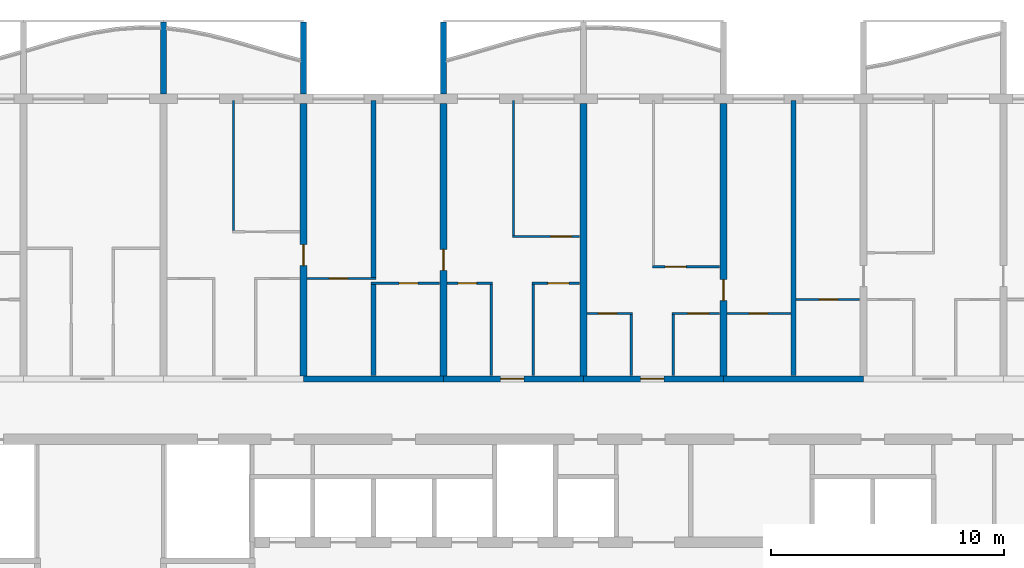
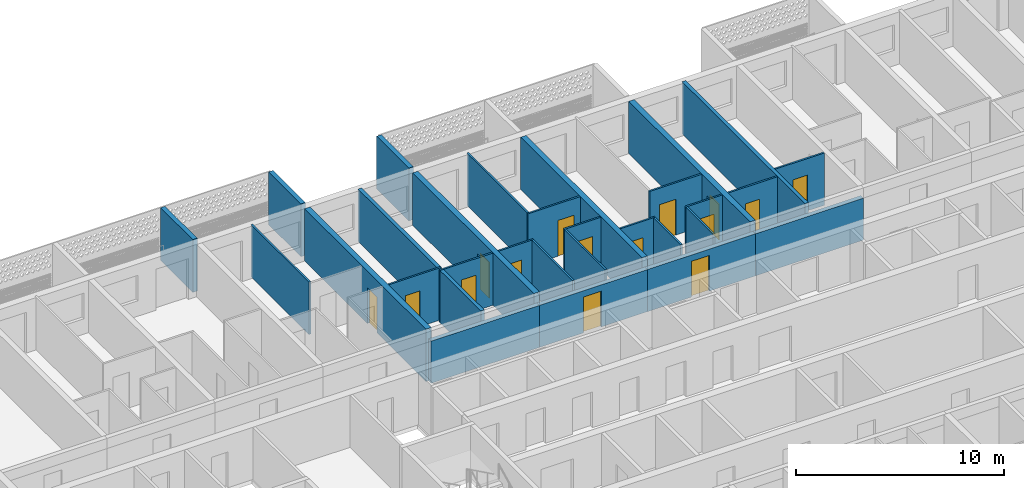
# One storey, part 9 of 32: 30 walls, 15 doors, 15 openings.
"""IFC4 building model written with IfcOpenShell, lengths in metres."""

from ifc_helpers import new_model, si_unit, direction, frame, frame_2d, origin, place, context, subcontext, project, spatial, polyline, rectangle, outline, extrude, source, transform, mapped, material, layer, layer_set, type_object, element, fill, save


model = new_model("IFC4")

# Units and contexts
model_context = context("Model", 3, precision=1e-05, world=origin(), true_north=direction((0.0, 1.0)))
body_context = subcontext(model_context, "Body", "Model", "MODEL_VIEW")
ifc_project = project(units=[si_unit("LENGTHUNIT", "METRE"), si_unit("AREAUNIT", "SQUARE_METRE"), si_unit("VOLUMEUNIT", "CUBIC_METRE"), si_unit("PLANEANGLEUNIT", "RADIAN"), si_unit("MASSUNIT", "GRAM", prefix="KILO")], contexts=[model_context])

# Site, building, storey
site_placement = place(None, origin())
site = spatial("IfcSite", under=ifc_project, at=site_placement, CompositionType="ELEMENT")
building_placement = place(site_placement, origin())
building = spatial("IfcBuilding", under=site, at=building_placement, Name="Poui Terraces", CompositionType="ELEMENT")
storey_placement = place(building_placement, frame((0.0, 0.0, 152.10009765625)))
storey = spatial("IfcBuildingStorey", under=building, at=storey_placement, Name="L42", CompositionType="ELEMENT", Elevation=152.10009765625)

# Wall
ifc_material_1 = material(Name="Concrete 65 MPa", Category="concrete")
ifc_layer_1 = layer(ifc_material_1, 0.25)
ifc_layer_set_1 = layer_set([ifc_layer_1], Name="Concrete 65 MPa")
wall_type_1 = type_object("IfcWallType", Name="CORRIDOR WALL 250 65MPa", PredefinedType="SHEAR", material=ifc_layer_set_1)
wall_1_placement = place(storey_placement, frame((36.0, 30.39990234375, 0.0), z_axis=(0.0, 0.0, 1.0), x_axis=(1.0, 0.0, 0.0)))
element("IfcWall", 1, at=wall_1_placement, inside=storey, type_object=wall_type_1, Name="CORRIDOR WALL LINE E BAY 5", PredefinedType="SHEAR", context=body_context, shape_type="SweptSolid", body=[
    extrude(rectangle(XDim=6.0, YDim=0.25, at=frame_2d((3.0, 0.0))), origin(), (0.0, 0.0, 1.0), 2.469970703125),
])

# Wall, opening, door
wall_2_placement = place(storey_placement, frame((42.0, 30.39990234375, 0.0), z_axis=(0.0, 0.0, 1.0), x_axis=(1.0, 0.0, 0.0)))
wall_2 = element("IfcWall", 2, at=wall_2_placement, inside=storey, type_object=wall_type_1, Name="CORRIDOR WALL LINE E BAY 6", PredefinedType="SHEAR", context=body_context, shape_type="SweptSolid", body=[
    extrude(rectangle(XDim=6.0, YDim=0.25, at=frame_2d((3.0, 0.0))), origin(), (0.0, 0.0, 1.0), 2.469970703125),
])
opening_1_placement = place(wall_2_placement, frame((2.449951171875, 0.0, 0.0)))
opening_1 = element("IfcOpeningElement", 3, at=opening_1_placement, cuts=wall_2, Name="Opening FD30S", PredefinedType="OPENING", context=body_context, shape_type="SweptSolid", body=[
    extrude(rectangle(XDim=1.0, YDim=2.10009765625, at=frame_2d((0.5, 1.050048828125))), frame((0.0, 0.135009765625, 0.0), z_axis=(0.0, -1.0, 0.0), x_axis=(1.0, 0.0, 0.0)), (0.0, 0.0, 1.0), 0.27001953125),
])
ifc_material_2 = material(Name="Steel fire door", Category="steel")
door_type_1 = type_object("IfcDoorType", Name="FLAT ENTRANCE DOOR 1000 X 2100", OperationType="NOTDEFINED", PredefinedType="DOOR", material=ifc_material_2)
door_1_placement = place(opening_1_placement, origin())
door_1 = element("IfcDoor", 4, at=door_1_placement, inside=storey, type_object=door_type_1, Name="FLAT ENTRANCE DOOR 046", OperationType="SINGLE_SWING_LEFT", OverallHeight=2.10009765625, OverallWidth=1.0, PredefinedType="DOOR", context=body_context, shape_type="SweptSolid", body=[
    extrude(rectangle(XDim=1.0, YDim=2.10009765625, at=frame_2d((0.5, 1.050048828125))), frame((0.0, 0.02490234375, 0.0), z_axis=(0.0, -1.0, 0.0), x_axis=(1.0, 0.0, 0.0)), (0.0, 0.0, 1.0), 0.050048828125),
])
fill(opening_1, door_1)

wall_3_placement = place(storey_placement, frame((48.0, 30.39990234375, 0.0), z_axis=(0.0, 0.0, 1.0), x_axis=(1.0, 0.0, 0.0)))
wall_3 = element("IfcWall", 5, at=wall_3_placement, inside=storey, type_object=wall_type_1, Name="CORRIDOR WALL LINE E BAY 7", PredefinedType="SHEAR", context=body_context, shape_type="SweptSolid", body=[
    extrude(rectangle(XDim=6.0, YDim=0.25, at=frame_2d((3.0, 0.0))), origin(), (0.0, 0.0, 1.0), 2.469970703125),
])
opening_2_placement = place(wall_3_placement, frame((2.449951171875, 0.0, 0.0)))
opening_2 = element("IfcOpeningElement", 6, at=opening_2_placement, cuts=wall_3, Name="Opening FD30S", PredefinedType="OPENING", context=body_context, shape_type="SweptSolid", body=[
    extrude(rectangle(XDim=1.0, YDim=2.10009765625, at=frame_2d((0.5, 1.050048828125))), frame((0.0, 0.135009765625, 0.0), z_axis=(0.0, -1.0, 0.0), x_axis=(1.0, 0.0, 0.0)), (0.0, 0.0, 1.0), 0.27001953125),
])
door_2_placement = place(opening_2_placement, origin())
door_2 = element("IfcDoor", 7, at=door_2_placement, inside=storey, type_object=door_type_1, Name="FLAT ENTRANCE DOOR 051", OperationType="SINGLE_SWING_LEFT", OverallHeight=2.10009765625, OverallWidth=1.0, PredefinedType="DOOR", context=body_context, shape_type="SweptSolid", body=[
    extrude(rectangle(XDim=1.0, YDim=2.10009765625, at=frame_2d((0.5, 1.050048828125))), frame((0.0, 0.02490234375, 0.0), z_axis=(0.0, -1.0, 0.0), x_axis=(1.0, 0.0, 0.0)), (0.0, 0.0, 1.0), 0.050048828125),
])
fill(opening_2, door_2)

# Wall
wall_4_placement = place(storey_placement, frame((54.0, 30.39990234375, 0.0), z_axis=(0.0, 0.0, 1.0), x_axis=(1.0, 0.0, 0.0)))
element("IfcWall", 8, at=wall_4_placement, inside=storey, type_object=wall_type_1, Name="CORRIDOR WALL LINE E BAY 8", PredefinedType="SHEAR", context=body_context, shape_type="SweptSolid", body=[
    extrude(rectangle(XDim=6.0, YDim=0.25, at=frame_2d((3.0, 0.0))), origin(), (0.0, 0.0, 1.0), 2.469970703125),
])

# Wall, opening, door
ifc_layer_2 = layer(ifc_material_1, 0.300048828125)
ifc_layer_set_2 = layer_set([ifc_layer_2], Name="Concrete 65 MPa")
wall_type_2 = type_object("IfcWallType", Name="CROSS WALL 300 65MPa", PredefinedType="SHEAR", material=ifc_layer_set_2)
wall_5_placement = place(storey_placement, frame((36.0, 30.52490234375, 0.0), z_axis=(0.0, 0.0, 1.0), x_axis=(0.0, 1.0, 0.0)))
wall_5 = element("IfcWall", 9, at=wall_5_placement, inside=storey, type_object=wall_type_2, Name="CROSS WALL LINE 7 NORTH", PredefinedType="SHEAR", context=body_context, shape_type="SweptSolid", body=[
    extrude(rectangle(XDim=11.675048828125, YDim=0.300048828125, at=frame_2d((5.83740234375, 0.0))), origin(), (0.0, 0.0, 1.0), 3.06982421875),
])
opening_3_placement = place(wall_5_placement, frame((4.72509765625, 0.0, 0.0)))
opening_3 = element("IfcOpeningElement", 10, at=opening_3_placement, cuts=wall_5, Name="Opening D90", PredefinedType="OPENING", context=body_context, shape_type="SweptSolid", body=[
    extrude(rectangle(XDim=0.89990234375, YDim=2.10009765625, at=frame_2d((0.449951171875, 1.050048828125))), frame((0.0, 0.16015625, 0.0), z_axis=(0.0, -1.0, 0.0), x_axis=(1.0, 0.0, 0.0)), (0.0, 0.0, 1.0), 0.320068359375),
])
ifc_material_3 = material(Name="Solid core timber door", Category="wood")
door_type_2 = type_object("IfcDoorType", Name="INTERNAL DOOR 900 X 2100", OperationType="NOTDEFINED", PredefinedType="DOOR", material=ifc_material_3)
door_3_placement = place(opening_3_placement, frame((0.89990234375, 0.0, 0.0), z_axis=(0.0, 0.0, 1.0), x_axis=(-1.0, 0.0, 0.0)))
door_3 = element("IfcDoor", 11, at=door_3_placement, inside=storey, type_object=door_type_2, Name="INTERNAL DOOR 042", OperationType="SINGLE_SWING_RIGHT", OverallHeight=2.10009765625, OverallWidth=0.89990234375, PredefinedType="DOOR", context=body_context, shape_type="SweptSolid", body=[
    extrude(rectangle(XDim=0.89990234375, YDim=2.10009765625, at=frame_2d((0.449951171875, 1.050048828125))), frame((0.0, 0.02490234375, 0.0), z_axis=(0.0, -1.0, 0.0), x_axis=(1.0, 0.0, 0.0)), (0.0, 0.0, 1.0), 0.050048828125),
])
fill(opening_3, door_3)

wall_6_placement = place(storey_placement, frame((42.0, 30.52490234375, 0.0), z_axis=(0.0, 0.0, 1.0), x_axis=(0.0, 1.0, 0.0)))
wall_6 = element("IfcWall", 12, at=wall_6_placement, inside=storey, type_object=wall_type_2, Name="CROSS WALL LINE 8 NORTH", PredefinedType="SHEAR", context=body_context, shape_type="SweptSolid", body=[
    extrude(rectangle(XDim=11.675048828125, YDim=0.300048828125, at=frame_2d((5.83740234375, 0.0))), origin(), (0.0, 0.0, 1.0), 3.06982421875),
])
opening_4_placement = place(wall_6_placement, frame((4.52490234375, 0.0, 0.0)))
opening_4 = element("IfcOpeningElement", 13, at=opening_4_placement, cuts=wall_6, Name="Opening D90", PredefinedType="OPENING", context=body_context, shape_type="SweptSolid", body=[
    extrude(rectangle(XDim=0.89990234375, YDim=2.10009765625, at=frame_2d((0.449951171875, 1.050048828125))), frame((0.0, 0.16015625, 0.0), z_axis=(0.0, -1.0, 0.0), x_axis=(1.0, 0.0, 0.0)), (0.0, 0.0, 1.0), 0.320068359375),
])
door_4_placement = place(opening_4_placement, origin())
door_4 = element("IfcDoor", 14, at=door_4_placement, inside=storey, type_object=door_type_2, Name="INTERNAL DOOR 044", OperationType="SINGLE_SWING_LEFT", OverallHeight=2.10009765625, OverallWidth=0.89990234375, PredefinedType="DOOR", context=body_context, shape_type="SweptSolid", body=[
    extrude(rectangle(XDim=0.89990234375, YDim=2.10009765625, at=frame_2d((0.449951171875, 1.050048828125))), frame((0.0, 0.02490234375, 0.0), z_axis=(0.0, -1.0, 0.0), x_axis=(1.0, 0.0, 0.0)), (0.0, 0.0, 1.0), 0.050048828125),
])
fill(opening_4, door_4)

# Wall
wall_7_placement = place(storey_placement, frame((48.0, 30.52490234375, 0.0), z_axis=(0.0, 0.0, 1.0), x_axis=(0.0, 1.0, 0.0)))
element("IfcWall", 15, at=wall_7_placement, inside=storey, type_object=wall_type_2, Name="CROSS WALL LINE 9 NORTH", PredefinedType="SHEAR", context=body_context, shape_type="SweptSolid", body=[
    extrude(rectangle(XDim=11.675048828125, YDim=0.300048828125, at=frame_2d((5.83740234375, 0.0))), origin(), (0.0, 0.0, 1.0), 3.06982421875),
])

# Wall, opening, door
wall_8_placement = place(storey_placement, frame((54.0, 30.52490234375, 0.0), z_axis=(0.0, 0.0, 1.0), x_axis=(0.0, 1.0, 0.0)))
wall_8 = element("IfcWall", 16, at=wall_8_placement, inside=storey, type_object=wall_type_2, Name="CROSS WALL LINE 10 NORTH", PredefinedType="SHEAR", context=body_context, shape_type="SweptSolid", body=[
    extrude(rectangle(XDim=11.675048828125, YDim=0.300048828125, at=frame_2d((5.83740234375, 0.0))), origin(), (0.0, 0.0, 1.0), 3.06982421875),
])
opening_5_placement = place(wall_8_placement, frame((3.22509765625, 0.0, 0.0)))
opening_5 = element("IfcOpeningElement", 17, at=opening_5_placement, cuts=wall_8, Name="Opening D90", PredefinedType="OPENING", context=body_context, shape_type="SweptSolid", body=[
    extrude(rectangle(XDim=0.89990234375, YDim=2.10009765625, at=frame_2d((0.449951171875, 1.050048828125))), frame((0.0, 0.16015625, 0.0), z_axis=(0.0, -1.0, 0.0), x_axis=(1.0, 0.0, 0.0)), (0.0, 0.0, 1.0), 0.320068359375),
])
door_5_placement = place(opening_5_placement, frame((0.89990234375, 0.0, 0.0), z_axis=(0.0, 0.0, 1.0), x_axis=(-1.0, 0.0, 0.0)))
door_5 = element("IfcDoor", 18, at=door_5_placement, inside=storey, type_object=door_type_2, Name="INTERNAL DOOR 054", OperationType="SINGLE_SWING_RIGHT", OverallHeight=2.10009765625, OverallWidth=0.89990234375, PredefinedType="DOOR", context=body_context, shape_type="SweptSolid", body=[
    extrude(rectangle(XDim=0.89990234375, YDim=2.10009765625, at=frame_2d((0.449951171875, 1.050048828125))), frame((0.0, 0.02490234375, 0.0), z_axis=(0.0, -1.0, 0.0), x_axis=(1.0, 0.0, 0.0)), (0.0, 0.0, 1.0), 0.050048828125),
])
fill(opening_5, door_5)

ifc_material_4 = material(Name="Plasterboard partition")
ifc_layer_3 = layer(ifc_material_4, 0.10009765625)
ifc_layer_set_3 = layer_set([ifc_layer_3], Name="Plasterboard partition")
wall_type_3 = type_object("IfcWallType", Name="FLAT PARTITION 100", PredefinedType="PARTITIONING", material=ifc_layer_set_3)
wall_9_placement = place(storey_placement, frame((48.159912109375, 33.199951171875, 0.0), z_axis=(0.0, 0.0, 1.0), x_axis=(1.0, 0.0, 0.0)))
wall_9 = element("IfcWall", 19, at=wall_9_placement, inside=storey, type_object=wall_type_3, Name="FLAT PARTITION 100", PredefinedType="PARTITIONING", context=body_context, shape_type="SweptSolid", body=[
    extrude(rectangle(XDim=1.940185546875, YDim=0.10009765625, at=frame_2d((0.97021484375, 0.0))), origin(), (0.0, 0.0, 1.0), 3.06982421875),
])
opening_6_placement = place(wall_9_placement, frame((0.465087890625, 0.0, 0.0)))
opening_6 = element("IfcOpeningElement", 20, at=opening_6_placement, cuts=wall_9, Name="Opening D80", PredefinedType="OPENING", context=body_context, shape_type="SweptSolid", body=[
    extrude(rectangle(XDim=0.800048828125, YDim=2.10009765625, at=frame_2d((0.39990234375, 1.050048828125))), frame((0.0, 0.06005859375, 0.0), z_axis=(0.0, -1.0, 0.0), x_axis=(1.0, 0.0, 0.0)), (0.0, 0.0, 1.0), 0.1201171875),
])
door_type_3 = type_object("IfcDoorType", Name="BATHROOM, LAUNDRY AND STORE DOOR 800 X 2100", OperationType="NOTDEFINED", PredefinedType="DOOR", material=ifc_material_3)
door_6_placement = place(opening_6_placement, frame((0.800048828125, 0.0, 0.0), z_axis=(0.0, 0.0, 1.0), x_axis=(-1.0, 0.0, 0.0)))
door_6 = element("IfcDoor", 21, at=door_6_placement, inside=storey, type_object=door_type_3, Name="BATHROOM, LAUNDRY AND STORE DOOR 050", OperationType="SINGLE_SWING_LEFT", OverallHeight=2.10009765625, OverallWidth=0.800048828125, PredefinedType="DOOR", context=body_context, shape_type="SweptSolid", body=[
    extrude(rectangle(XDim=0.800048828125, YDim=2.10009765625, at=frame_2d((0.39990234375, 1.050048828125))), frame((0.0, 0.02490234375, 0.0), z_axis=(0.0, -1.0, 0.0), x_axis=(1.0, 0.0, 0.0)), (0.0, 0.0, 1.0), 0.050048828125),
])
fill(opening_6, door_6)

wall_10_placement = place(storey_placement, frame((51.800048828125, 33.199951171875, 0.0), z_axis=(0.0, 0.0, 1.0), x_axis=(1.0, 0.0, 0.0)))
wall_10 = element("IfcWall", 22, at=wall_10_placement, inside=storey, type_object=wall_type_3, Name="FLAT PARTITION 100", PredefinedType="PARTITIONING", context=body_context, shape_type="SweptSolid", body=[
    extrude(rectangle(XDim=2.0400390625, YDim=0.10009765625, at=frame_2d((1.02001953125, 0.0))), origin(), (0.0, 0.0, 1.0), 3.06982421875),
])
opening_7_placement = place(wall_10_placement, frame((0.675048828125, 0.0, 0.0)))
opening_7 = element("IfcOpeningElement", 23, at=opening_7_placement, cuts=wall_10, Name="Opening D90", PredefinedType="OPENING", context=body_context, shape_type="SweptSolid", body=[
    extrude(rectangle(XDim=0.89990234375, YDim=2.10009765625, at=frame_2d((0.449951171875, 1.050048828125))), frame((0.0, 0.06005859375, 0.0), z_axis=(0.0, -1.0, 0.0), x_axis=(1.0, 0.0, 0.0)), (0.0, 0.0, 1.0), 0.1201171875),
])
door_7_placement = place(opening_7_placement, frame((0.89990234375, 0.0, 0.0), z_axis=(0.0, 0.0, 1.0), x_axis=(-1.0, 0.0, 0.0)))
door_7 = element("IfcDoor", 24, at=door_7_placement, inside=storey, type_object=door_type_2, Name="INTERNAL DOOR 053", OperationType="SINGLE_SWING_RIGHT", OverallHeight=2.10009765625, OverallWidth=0.89990234375, PredefinedType="DOOR", context=body_context, shape_type="SweptSolid", body=[
    extrude(rectangle(XDim=0.89990234375, YDim=2.10009765625, at=frame_2d((0.449951171875, 1.050048828125))), frame((0.0, 0.02490234375, 0.0), z_axis=(0.0, -1.0, 0.0), x_axis=(1.0, 0.0, 0.0)), (0.0, 0.0, 1.0), 0.050048828125),
])
fill(opening_7, door_7)

wall_11_placement = place(storey_placement, frame((54.159912109375, 33.199951171875, 0.0), z_axis=(0.0, 0.0, 1.0), x_axis=(1.0, 0.0, 0.0)))
wall_11 = element("IfcWall", 25, at=wall_11_placement, inside=storey, type_object=wall_type_3, Name="FLAT PARTITION 100", PredefinedType="PARTITIONING", context=body_context, shape_type="SweptSolid", body=[
    extrude(rectangle(XDim=2.739990234375, YDim=0.10009765625, at=frame_2d((1.3701171875, 0.0))), origin(), (0.0, 0.0, 1.0), 3.06982421875),
])
opening_8_placement = place(wall_11_placement, frame((0.93994140625, 0.0, 0.0)))
opening_8 = element("IfcOpeningElement", 26, at=opening_8_placement, cuts=wall_11, Name="Opening D80", PredefinedType="OPENING", context=body_context, shape_type="SweptSolid", body=[
    extrude(rectangle(XDim=0.800048828125, YDim=2.10009765625, at=frame_2d((0.39990234375, 1.050048828125))), frame((0.0, 0.06005859375, 0.0), z_axis=(0.0, -1.0, 0.0), x_axis=(1.0, 0.0, 0.0)), (0.0, 0.0, 1.0), 0.1201171875),
])
door_8_placement = place(opening_8_placement, frame((0.800048828125, 0.0, 0.0), z_axis=(0.0, 0.0, 1.0), x_axis=(-1.0, 0.0, 0.0)))
door_8 = element("IfcDoor", 27, at=door_8_placement, inside=storey, type_object=door_type_3, Name="BATHROOM, LAUNDRY AND STORE DOOR 049", OperationType="SINGLE_SWING_LEFT", OverallHeight=2.10009765625, OverallWidth=0.800048828125, PredefinedType="DOOR", context=body_context, shape_type="SweptSolid", body=[
    extrude(rectangle(XDim=0.800048828125, YDim=2.10009765625, at=frame_2d((0.39990234375, 1.050048828125))), frame((0.0, 0.02490234375, 0.0), z_axis=(0.0, -1.0, 0.0), x_axis=(1.0, 0.0, 0.0)), (0.0, 0.0, 1.0), 0.050048828125),
])
fill(opening_8, door_8)

wall_12_placement = place(storey_placement, frame((57.10009765625, 33.800048828125, 0.0), z_axis=(0.0, 0.0, 1.0), x_axis=(1.0, 0.0, 0.0)))
wall_12 = element("IfcWall", 28, at=wall_12_placement, inside=storey, type_object=wall_type_3, Name="FLAT PARTITION 100", PredefinedType="PARTITIONING", context=body_context, shape_type="SweptSolid", body=[
    extrude(rectangle(XDim=2.739990234375, YDim=0.10009765625, at=frame_2d((1.3701171875, 0.0))), origin(), (0.0, 0.0, 1.0), 3.06982421875),
])
opening_9_placement = place(wall_12_placement, frame((1.0, 0.0, 0.0)))
opening_9 = element("IfcOpeningElement", 29, at=opening_9_placement, cuts=wall_12, Name="Opening D80", PredefinedType="OPENING", context=body_context, shape_type="SweptSolid", body=[
    extrude(rectangle(XDim=0.800048828125, YDim=2.10009765625, at=frame_2d((0.39990234375, 1.050048828125))), frame((0.0, 0.06005859375, 0.0), z_axis=(0.0, -1.0, 0.0), x_axis=(1.0, 0.0, 0.0)), (0.0, 0.0, 1.0), 0.1201171875),
])
door_9_placement = place(opening_9_placement, frame((0.800048828125, 0.0, 0.0), z_axis=(0.0, 0.0, 1.0), x_axis=(-1.0, 0.0, 0.0)))
door_9 = element("IfcDoor", 30, at=door_9_placement, inside=storey, type_object=door_type_3, Name="BATHROOM, LAUNDRY AND STORE DOOR 055", OperationType="SINGLE_SWING_RIGHT", OverallHeight=2.10009765625, OverallWidth=0.800048828125, PredefinedType="DOOR", context=body_context, shape_type="SweptSolid", body=[
    extrude(rectangle(XDim=0.800048828125, YDim=2.10009765625, at=frame_2d((0.39990234375, 1.050048828125))), frame((0.0, 0.02490234375, 0.0), z_axis=(0.0, -1.0, 0.0), x_axis=(1.0, 0.0, 0.0)), (0.0, 0.0, 1.0), 0.050048828125),
])
fill(opening_9, door_9)

wall_13_placement = place(storey_placement, frame((38.89990234375, 34.5, 0.0), z_axis=(0.0, 0.0, 1.0), x_axis=(1.0, 0.0, 0.0)))
wall_13 = element("IfcWall", 31, at=wall_13_placement, inside=storey, type_object=wall_type_3, Name="FLAT PARTITION 100", PredefinedType="PARTITIONING", context=body_context, shape_type="SweptSolid", body=[
    extrude(rectangle(XDim=2.940185546875, YDim=0.10009765625, at=frame_2d((1.47021484375, 0.0))), origin(), (0.0, 0.0, 1.0), 3.06982421875),
])
opening_10_placement = place(wall_13_placement, frame((1.199951171875, 0.0, 0.0)))
opening_10 = element("IfcOpeningElement", 32, at=opening_10_placement, cuts=wall_13, Name="Opening D80", PredefinedType="OPENING", context=body_context, shape_type="SweptSolid", body=[
    extrude(rectangle(XDim=0.800048828125, YDim=2.10009765625, at=frame_2d((0.39990234375, 1.050048828125))), frame((0.0, 0.06005859375, 0.0), z_axis=(0.0, -1.0, 0.0), x_axis=(1.0, 0.0, 0.0)), (0.0, 0.0, 1.0), 0.1201171875),
])
door_10_placement = place(opening_10_placement, frame((0.800048828125, 0.0, 0.0), z_axis=(0.0, 0.0, 1.0), x_axis=(-1.0, 0.0, 0.0)))
door_10 = element("IfcDoor", 33, at=door_10_placement, inside=storey, type_object=door_type_3, Name="BATHROOM, LAUNDRY AND STORE DOOR 043", OperationType="SINGLE_SWING_RIGHT", OverallHeight=2.10009765625, OverallWidth=0.800048828125, PredefinedType="DOOR", context=body_context, shape_type="SweptSolid", body=[
    extrude(rectangle(XDim=0.800048828125, YDim=2.10009765625, at=frame_2d((0.39990234375, 1.050048828125))), frame((0.0, 0.02490234375, 0.0), z_axis=(0.0, -1.0, 0.0), x_axis=(1.0, 0.0, 0.0)), (0.0, 0.0, 1.0), 0.050048828125),
])
fill(opening_10, door_10)

wall_14_placement = place(storey_placement, frame((42.159912109375, 34.5, 0.0), z_axis=(0.0, 0.0, 1.0), x_axis=(1.0, 0.0, 0.0)))
wall_14 = element("IfcWall", 34, at=wall_14_placement, inside=storey, type_object=wall_type_3, Name="FLAT PARTITION 100", PredefinedType="PARTITIONING", context=body_context, shape_type="SweptSolid", body=[
    extrude(rectangle(XDim=1.940185546875, YDim=0.10009765625, at=frame_2d((0.97021484375, 0.0))), origin(), (0.0, 0.0, 1.0), 3.06982421875),
])
opening_11_placement = place(wall_14_placement, frame((0.465087890625, 0.0, 0.0)))
opening_11 = element("IfcOpeningElement", 35, at=opening_11_placement, cuts=wall_14, Name="Opening D80", PredefinedType="OPENING", context=body_context, shape_type="SweptSolid", body=[
    extrude(rectangle(XDim=0.800048828125, YDim=2.10009765625, at=frame_2d((0.39990234375, 1.050048828125))), frame((0.0, 0.06005859375, 0.0), z_axis=(0.0, -1.0, 0.0), x_axis=(1.0, 0.0, 0.0)), (0.0, 0.0, 1.0), 0.1201171875),
])
door_11_placement = place(opening_11_placement, frame((0.800048828125, 0.0, 0.0), z_axis=(0.0, 0.0, 1.0), x_axis=(-1.0, 0.0, 0.0)))
door_11 = element("IfcDoor", 36, at=door_11_placement, inside=storey, type_object=door_type_3, Name="BATHROOM, LAUNDRY AND STORE DOOR 045", OperationType="SINGLE_SWING_RIGHT", OverallHeight=2.10009765625, OverallWidth=0.800048828125, PredefinedType="DOOR", context=body_context, shape_type="SweptSolid", body=[
    extrude(rectangle(XDim=0.800048828125, YDim=2.10009765625, at=frame_2d((0.39990234375, 1.050048828125))), frame((0.0, 0.02490234375, 0.0), z_axis=(0.0, -1.0, 0.0), x_axis=(1.0, 0.0, 0.0)), (0.0, 0.0, 1.0), 0.050048828125),
])
fill(opening_11, door_11)

wall_15_placement = place(storey_placement, frame((45.800048828125, 34.5, 0.0), z_axis=(0.0, 0.0, 1.0), x_axis=(1.0, 0.0, 0.0)))
wall_15 = element("IfcWall", 37, at=wall_15_placement, inside=storey, type_object=wall_type_3, Name="FLAT PARTITION 100", PredefinedType="PARTITIONING", context=body_context, shape_type="SweptSolid", body=[
    extrude(rectangle(XDim=2.0400390625, YDim=0.10009765625, at=frame_2d((1.02001953125, 0.0))), origin(), (0.0, 0.0, 1.0), 3.06982421875),
])
opening_12_placement = place(wall_15_placement, frame((0.675048828125, 0.0, 0.0)))
opening_12 = element("IfcOpeningElement", 38, at=opening_12_placement, cuts=wall_15, Name="Opening D90", PredefinedType="OPENING", context=body_context, shape_type="SweptSolid", body=[
    extrude(rectangle(XDim=0.89990234375, YDim=2.10009765625, at=frame_2d((0.449951171875, 1.050048828125))), frame((0.0, 0.06005859375, 0.0), z_axis=(0.0, -1.0, 0.0), x_axis=(1.0, 0.0, 0.0)), (0.0, 0.0, 1.0), 0.1201171875),
])
door_12_placement = place(opening_12_placement, frame((0.89990234375, 0.0, 0.0), z_axis=(0.0, 0.0, 1.0), x_axis=(-1.0, 0.0, 0.0)))
door_12 = element("IfcDoor", 39, at=door_12_placement, inside=storey, type_object=door_type_2, Name="INTERNAL DOOR 047", OperationType="SINGLE_SWING_LEFT", OverallHeight=2.10009765625, OverallWidth=0.89990234375, PredefinedType="DOOR", context=body_context, shape_type="SweptSolid", body=[
    extrude(rectangle(XDim=0.89990234375, YDim=2.10009765625, at=frame_2d((0.449951171875, 1.050048828125))), frame((0.0, 0.02490234375, 0.0), z_axis=(0.0, -1.0, 0.0), x_axis=(1.0, 0.0, 0.0)), (0.0, 0.0, 1.0), 0.050048828125),
])
fill(opening_12, door_12)

wall_16_placement = place(storey_placement, frame((36.159912109375, 34.699951171875, 0.0), z_axis=(0.0, 0.0, 1.0), x_axis=(1.0, 0.0, 0.0)))
wall_16 = element("IfcWall", 40, at=wall_16_placement, inside=storey, type_object=wall_type_3, Name="FLAT PARTITION 100", PredefinedType="PARTITIONING", context=body_context, shape_type="SweptSolid", body=[
    extrude(rectangle(XDim=2.940185546875, YDim=0.10009765625, at=frame_2d((1.47021484375, 0.0))), origin(), (0.0, 0.0, 1.0), 3.06982421875),
])
opening_13_placement = place(wall_16_placement, frame((0.93994140625, 0.0, 0.0)))
opening_13 = element("IfcOpeningElement", 41, at=opening_13_placement, cuts=wall_16, Name="Opening D80", PredefinedType="OPENING", context=body_context, shape_type="SweptSolid", body=[
    extrude(rectangle(XDim=0.800048828125, YDim=2.10009765625, at=frame_2d((0.39990234375, 1.050048828125))), frame((0.0, 0.06005859375, 0.0), z_axis=(0.0, -1.0, 0.0), x_axis=(1.0, 0.0, 0.0)), (0.0, 0.0, 1.0), 0.1201171875),
])
door_13_placement = place(opening_13_placement, frame((0.800048828125, 0.0, 0.0), z_axis=(0.0, 0.0, 1.0), x_axis=(-1.0, 0.0, 0.0)))
door_13 = element("IfcDoor", 42, at=door_13_placement, inside=storey, type_object=door_type_3, Name="BATHROOM, LAUNDRY AND STORE DOOR 037", OperationType="SINGLE_SWING_LEFT", OverallHeight=2.10009765625, OverallWidth=0.800048828125, PredefinedType="DOOR", context=body_context, shape_type="SweptSolid", body=[
    extrude(rectangle(XDim=0.800048828125, YDim=2.10009765625, at=frame_2d((0.39990234375, 1.050048828125))), frame((0.0, 0.02490234375, 0.0), z_axis=(0.0, -1.0, 0.0), x_axis=(1.0, 0.0, 0.0)), (0.0, 0.0, 1.0), 0.050048828125),
])
fill(opening_13, door_13)

wall_17_placement = place(storey_placement, frame((50.949951171875, 35.199951171875, 0.0), z_axis=(0.0, 0.0, 1.0), x_axis=(1.0, 0.0, 0.0)))
wall_17 = element("IfcWall", 43, at=wall_17_placement, inside=storey, type_object=wall_type_3, Name="FLAT PARTITION 100", PredefinedType="PARTITIONING", context=body_context, shape_type="SweptSolid", body=[
    extrude(rectangle(XDim=2.89013671875, YDim=0.10009765625, at=frame_2d((1.445068359375, 0.0))), origin(), (0.0, 0.0, 1.0), 3.06982421875),
])
opening_14_placement = place(wall_17_placement, frame((0.550048828125, 0.0, 0.0)))
opening_14 = element("IfcOpeningElement", 44, at=opening_14_placement, cuts=wall_17, Name="Opening D90", PredefinedType="OPENING", context=body_context, shape_type="SweptSolid", body=[
    extrude(rectangle(XDim=0.89990234375, YDim=2.10009765625, at=frame_2d((0.449951171875, 1.050048828125))), frame((0.0, 0.06005859375, 0.0), z_axis=(0.0, -1.0, 0.0), x_axis=(1.0, 0.0, 0.0)), (0.0, 0.0, 1.0), 0.1201171875),
])
door_14_placement = place(opening_14_placement, frame((0.89990234375, 0.0, 0.0), z_axis=(0.0, 0.0, 1.0), x_axis=(-1.0, 0.0, 0.0)))
door_14 = element("IfcDoor", 45, at=door_14_placement, inside=storey, type_object=door_type_2, Name="INTERNAL DOOR 052", OperationType="SINGLE_SWING_LEFT", OverallHeight=2.10009765625, OverallWidth=0.89990234375, PredefinedType="DOOR", context=body_context, shape_type="SweptSolid", body=[
    extrude(rectangle(XDim=0.89990234375, YDim=2.10009765625, at=frame_2d((0.449951171875, 1.050048828125))), frame((0.0, 0.02490234375, 0.0), z_axis=(0.0, -1.0, 0.0), x_axis=(1.0, 0.0, 0.0)), (0.0, 0.0, 1.0), 0.050048828125),
])
fill(opening_14, door_14)

wall_18_placement = place(storey_placement, frame((44.949951171875, 36.5, 0.0), z_axis=(0.0, 0.0, 1.0), x_axis=(1.0, 0.0, 0.0)))
wall_18 = element("IfcWall", 46, at=wall_18_placement, inside=storey, type_object=wall_type_3, Name="FLAT PARTITION 100", PredefinedType="PARTITIONING", context=body_context, shape_type="SweptSolid", body=[
    extrude(rectangle(XDim=2.89013671875, YDim=0.10009765625, at=frame_2d((1.445068359375, 0.0))), origin(), (0.0, 0.0, 1.0), 3.06982421875),
])
opening_15_placement = place(wall_18_placement, frame((1.64990234375, 0.0, 0.0)))
opening_15 = element("IfcOpeningElement", 47, at=opening_15_placement, cuts=wall_18, Name="Opening D90", PredefinedType="OPENING", context=body_context, shape_type="SweptSolid", body=[
    extrude(rectangle(XDim=0.89990234375, YDim=2.10009765625, at=frame_2d((0.449951171875, 1.050048828125))), frame((0.0, 0.06005859375, 0.0), z_axis=(0.0, -1.0, 0.0), x_axis=(1.0, 0.0, 0.0)), (0.0, 0.0, 1.0), 0.1201171875),
])
door_15_placement = place(opening_15_placement, frame((0.89990234375, 0.0, 0.0), z_axis=(0.0, 0.0, 1.0), x_axis=(-1.0, 0.0, 0.0)))
door_15 = element("IfcDoor", 48, at=door_15_placement, inside=storey, type_object=door_type_2, Name="INTERNAL DOOR 048", OperationType="SINGLE_SWING_RIGHT", OverallHeight=2.10009765625, OverallWidth=0.89990234375, PredefinedType="DOOR", context=body_context, shape_type="SweptSolid", body=[
    extrude(rectangle(XDim=0.89990234375, YDim=2.10009765625, at=frame_2d((0.449951171875, 1.050048828125))), frame((0.0, 0.02490234375, 0.0), z_axis=(0.0, -1.0, 0.0), x_axis=(1.0, 0.0, 0.0)), (0.0, 0.0, 1.0), 0.050048828125),
])
fill(opening_15, door_15)

# Walls
wall_19_placement = place(storey_placement, frame((33.0, 36.75, 0.0), z_axis=(0.0, 0.0, 1.0), x_axis=(0.0, 1.0, 0.0)))
element("IfcWall", 49, at=wall_19_placement, inside=storey, type_object=wall_type_3, Name="FLAT PARTITION 100", PredefinedType="PARTITIONING", context=body_context, shape_type="SweptSolid", body=[
    extrude(rectangle(XDim=5.590087890625, YDim=0.10009765625, at=frame_2d((2.794921875, 0.0))), origin(), (0.0, 0.0, 1.0), 3.06982421875),
])
wall_20_placement = place(storey_placement, frame((44.050048828125, 30.534912109375, 0.0), z_axis=(0.0, 0.0, 1.0), x_axis=(0.0, 1.0, 0.0)))
element("IfcWall", 50, at=wall_20_placement, inside=storey, type_object=wall_type_3, Name="FLAT PARTITION 100", PredefinedType="PARTITIONING", context=body_context, shape_type="SweptSolid", body=[
    extrude(rectangle(XDim=3.9150390625, YDim=0.10009765625, at=frame_2d((1.95751953125, 0.0))), origin(), (0.0, 0.0, 1.0), 3.06982421875),
])
wall_21_placement = place(storey_placement, frame((45.0, 36.550048828125, 0.0), z_axis=(0.0, 0.0, 1.0), x_axis=(0.0, 1.0, 0.0)))
element("IfcWall", 51, at=wall_21_placement, inside=storey, type_object=wall_type_3, Name="FLAT PARTITION 100", PredefinedType="PARTITIONING", context=body_context, shape_type="SweptSolid", body=[
    extrude(rectangle(XDim=5.7900390625, YDim=0.10009765625, at=frame_2d((2.89501953125, 0.0))), origin(), (0.0, 0.0, 1.0), 3.06982421875),
])
wall_22_placement = place(storey_placement, frame((45.85009765625, 30.534912109375, 0.0), z_axis=(0.0, 0.0, 1.0), x_axis=(0.0, 1.0, 0.0)))
element("IfcWall", 52, at=wall_22_placement, inside=storey, type_object=wall_type_3, Name="FLAT PARTITION 100", PredefinedType="PARTITIONING", context=body_context, shape_type="SweptSolid", body=[
    extrude(rectangle(XDim=3.9150390625, YDim=0.10009765625, at=frame_2d((1.95751953125, 0.0))), origin(), (0.0, 0.0, 1.0), 3.06982421875),
])
for number, where, z_axis, x_axis, name in (
    (53, (50.050048828125, 30.534912109375, 0.0), (0.0, 0.0, 1.0), (0.0, 1.0, 0.0), "FLAT PARTITION 100"),
    (54, (51.85009765625, 30.534912109375, 0.0), (0.0, 0.0, 1.0), (0.0, 1.0, 0.0), "FLAT PARTITION 100"),
):
    element("IfcWall", number, at=place(storey_placement, frame(where, z_axis=z_axis, x_axis=x_axis)), inside=storey, type_object=wall_type_3, Name=name, PredefinedType="PARTITIONING", context=body_context, shape_type="SweptSolid", body=[
        extrude(rectangle(XDim=2.614990234375, YDim=0.10009765625, at=frame_2d((1.3076171875, 0.0))), origin(), (0.0, 0.0, 1.0), 3.06982421875),
    ])
ifc_material_5 = material(Name="Fire-rated masonry wall", Category="masonry")
ifc_layer_4 = layer(ifc_material_5, 0.199951171875)
ifc_layer_set_4 = layer_set([ifc_layer_4], Name="Fire-rated masonry wall")
wall_type_4 = type_object("IfcWallType", Name="FLAT PARTY WALL 200", PredefinedType="PARTITIONING", material=ifc_layer_set_4)
wall_23_placement = place(storey_placement, frame((39.0, 30.534912109375, 0.0), z_axis=(0.0, 0.0, 1.0), x_axis=(0.0, 1.0, 0.0)))
element("IfcWall", 55, at=wall_23_placement, inside=storey, type_object=wall_type_4, Name="FLAT PARTY WALL 200", PredefinedType="PARTITIONING", context=body_context, shape_type="SweptSolid", body=[
    extrude(rectangle(XDim=3.9150390625, YDim=0.199951171875, at=frame_2d((1.95751953125, 0.0))), origin(), (0.0, 0.0, 1.0), 3.06982421875),
])
wall_24_placement = place(storey_placement, frame((39.0, 34.75, 0.0), z_axis=(0.0, 0.0, 1.0), x_axis=(0.0, 1.0, 0.0)))
element("IfcWall", 56, at=wall_24_placement, inside=storey, type_object=wall_type_4, Name="FLAT PARTY WALL 200", PredefinedType="PARTITIONING", context=body_context, shape_type="SweptSolid", body=[
    extrude(rectangle(XDim=7.590087890625, YDim=0.199951171875, at=frame_2d((3.794921875, 0.0))), origin(), (0.0, 0.0, 1.0), 3.06982421875),
])
wall_25_placement = place(storey_placement, frame((57.0, 30.534912109375, 0.0), z_axis=(0.0, 0.0, 1.0), x_axis=(0.0, 1.0, 0.0)))
element("IfcWall", 57, at=wall_25_placement, inside=storey, type_object=wall_type_4, Name="FLAT PARTY WALL 200", PredefinedType="PARTITIONING", context=body_context, shape_type="SweptSolid", body=[
    extrude(rectangle(XDim=11.80517578125, YDim=0.199951171875, at=frame_2d((5.902587890625, 0.0))), origin(), (0.0, 0.0, 1.0), 3.06982421875),
])
ifc_material_6 = material(Name="Precast concrete 40 MPa", Category="concrete")
ifc_layer_5 = layer(ifc_material_6, 0.25)
ifc_layer_set_5 = layer_set([ifc_layer_5], Name="Precast concrete 40 MPa")
wall_type_5 = type_object("IfcWallType", Name="BALCONY FIN 250", PredefinedType="STANDARD", material=ifc_layer_set_5)
shared_shape = source(origin(), body_context, "Body", "SweptSolid", [
    extrude(outline(polyline([(0.0, 0.0), (0.25, 0.0), (0.25, 3.099853515625), (0.0, 3.099853515625), (0.0, 0.0)])), origin(), (0.0, 0.0, 1.0), 3.099853515625),
])
for number, where, name in (
    (58, (29.875, 42.60009765625, 0.0), "BALCONY FIN"),
    (59, (35.875, 42.60009765625, 0.0), "BALCONY FIN"),
    (60, (41.875, 42.60009765625, 0.0), "BALCONY FIN"),
):
    element("IfcWall", number, at=place(storey_placement, frame(where)), inside=storey, type_object=wall_type_5, Name=name, PredefinedType="STANDARD", context=body_context, shape_type="MappedRepresentation", body=[
        mapped(shared_shape, transform((0.0, 0.0, 0.0))),
    ])

save(model, "model.ifc")
